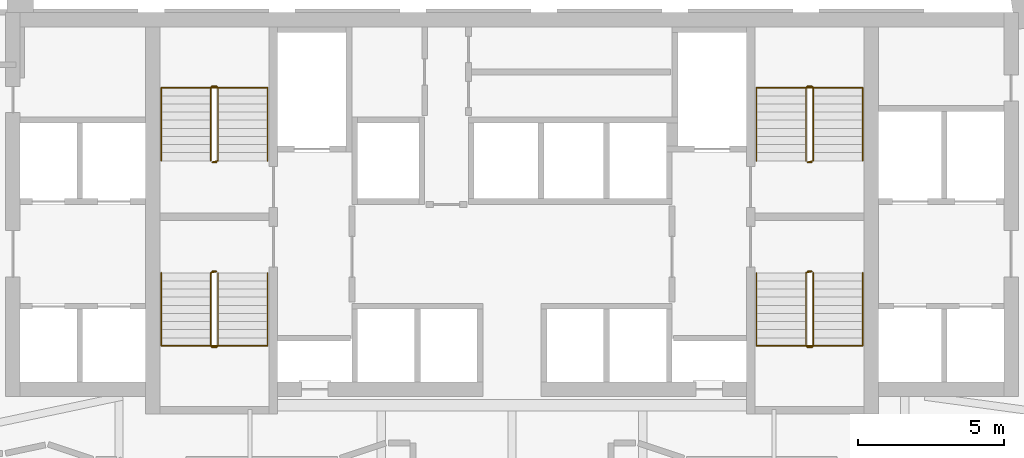
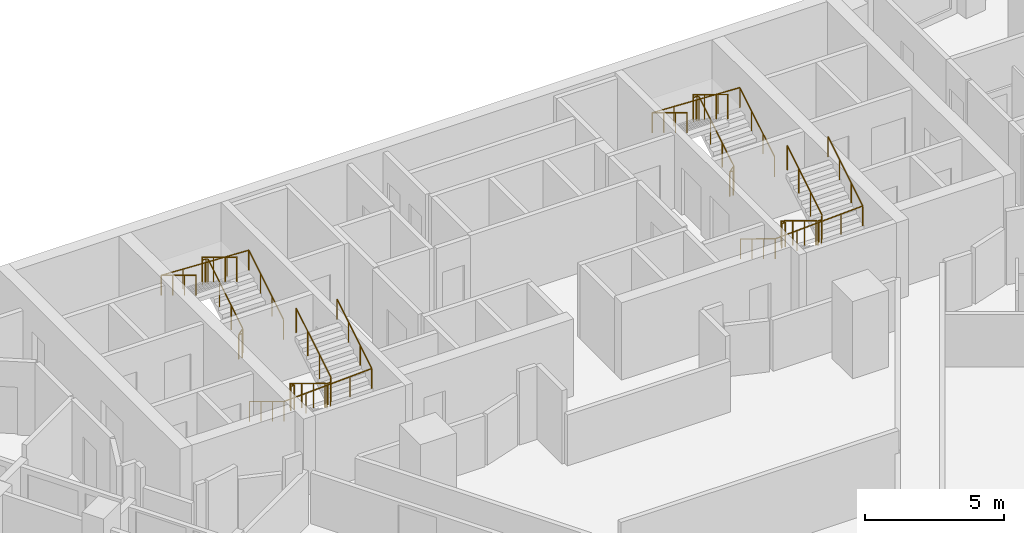
# One storey, part 11 of 11: 8 railings.
"""IFC4 building model written with IfcOpenShell, lengths in metres."""

from ifc_helpers import new_model, si_unit, direction, frame, origin, origin_2d, place, context, subcontext, project, spatial, circle, extrude, material, type_object, element, save


model = new_model("IFC4")

# Units and contexts
model_context = context("Model", 3, precision=1e-05, world=origin(), true_north=direction((0.0, 1.0)))
body_context = subcontext(model_context, "Body", "Model", "MODEL_VIEW")
ifc_project = project(units=[si_unit("LENGTHUNIT", "METRE"), si_unit("AREAUNIT", "SQUARE_METRE"), si_unit("VOLUMEUNIT", "CUBIC_METRE"), si_unit("PLANEANGLEUNIT", "RADIAN"), si_unit("MASSUNIT", "GRAM", prefix="KILO")], contexts=[model_context])

# Site, building, storey
site_placement = place(None, origin())
site = spatial("IfcSite", under=ifc_project, at=site_placement, CompositionType="ELEMENT")
building_placement = place(site_placement, origin())
building = spatial("IfcBuilding", under=site, at=building_placement, Name="Calabash Gate Tower", CompositionType="ELEMENT")
storey_placement = place(building_placement, frame((0.0, 0.0, 129.199951171875)))
storey = spatial("IfcBuildingStorey", under=building, at=storey_placement, Name="L30", CompositionType="ELEMENT", Elevation=129.199951171875)

# Railings
ifc_material_1 = material(Name="Black powder-coated steel balusters", Category="steel")
railing_type_1 = type_object("IfcRailingType", Name="Stair guard RL1100", PredefinedType="GUARDRAIL", material=ifc_material_1)
railing_1_placement = place(storey_placement, frame((-10.14990234375, 13.902587890625, 0.0)))
element("IfcRailing", 1, at=railing_1_placement, inside=storey, type_object=railing_type_1, Name="L30 ST1 stair guard 1", PredefinedType="GUARDRAIL", context=body_context, shape_type="SweptSolid", body=[
    extrude(circle(Radius=0.02392578125, at=origin_2d()), frame((0.0, 0.0, 1.076171875), z_axis=(-1.0, 0.0, 0.0), x_axis=(0.0, -1.0, 0.0)), (0.0, 0.0, 1.0), 0.150146484375),
    extrude(circle(Radius=0.02392578125, at=origin_2d()), frame((-0.150146484375, 0.0, 1.076171875), z_axis=(0.748079357382, 0.187248190798, 0.636643848712), x_axis=(-0.242814311512, 0.970072785993, 0.0)), (0.0, 0.0, 1.0), 0.267333984375),
    extrude(circle(Radius=0.02392578125, at=origin_2d()), frame((0.0498046875, 0.050048828125, 1.24609375), z_axis=(0.0, 0.853993254676, 0.52028407718), x_axis=(-1.0, 0.0, 0.0)), (0.0, 0.0, 1.0), 2.940185546875),
    extrude(circle(Radius=0.02392578125, at=origin_2d()), frame((0.0498046875, 2.56103515625, 2.77587890625), z_axis=(-0.705375805398, 0.708833529934, 0.0), x_axis=(-0.708833529934, -0.705375805398, 0.0)), (0.0, 0.0, 1.0), 0.070556640625),
    extrude(circle(Radius=0.02392578125, at=origin_2d()), frame((0.0, 2.611083984375, 2.77587890625), z_axis=(-1.0, 0.0, 0.0), x_axis=(0.0, -1.0, 0.0)), (0.0, 0.0, 1.0), 0.150146484375),
    extrude(circle(Radius=0.02392578125, at=origin_2d()), frame((-0.150146484375, 2.611083984375, 2.77587890625), z_axis=(-0.271562723297, -0.271562723297, 0.923313259209), x_axis=(0.707106781187, -0.707106781187, 0.0)), (0.0, 0.0, 1.0), 0.184326171875),
    extrude(circle(Radius=0.02392578125, at=origin_2d()), frame((-0.2001953125, 2.56103515625, 2.9462890625), z_axis=(0.0, -0.853956361026, 0.520344629514), x_axis=(1.0, 0.0, 0.0)), (0.0, 0.0, 1.0), 2.9404296875),
    extrude(circle(Radius=0.02099609375, at=origin_2d()), origin(), (0.0, 0.0, 1.0), 1.052001953125),
    extrude(circle(Radius=0.02099609375, at=origin_2d()), frame((-0.150146484375, 0.0, 0.0)), (0.0, 0.0, 1.0), 1.052001953125),
    extrude(circle(Radius=0.02099609375, at=origin_2d()), frame((0.0498046875, 0.050048828125, 0.170166015625)), (0.0, 0.0, 1.0), 1.052001953125),
    extrude(circle(Radius=0.02099609375, at=origin_2d()), frame((0.0498046875, 0.886962890625, 0.68017578125)), (0.0, 0.0, 1.0), 1.052001953125),
    extrude(circle(Radius=0.02099609375, at=origin_2d()), frame((0.0498046875, 1.72412109375, 1.18994140625)), (0.0, 0.0, 1.0), 1.052001953125),
    extrude(circle(Radius=0.02099609375, at=origin_2d()), frame((0.0498046875, 2.56103515625, 1.699951171875)), (0.0, 0.0, 1.0), 1.052001953125),
    extrude(circle(Radius=0.02099609375, at=origin_2d()), frame((0.0, 2.611083984375, 1.699951171875)), (0.0, 0.0, 1.0), 1.052001953125),
    extrude(circle(Radius=0.02099609375, at=origin_2d()), frame((-0.150146484375, 2.611083984375, 1.699951171875)), (0.0, 0.0, 1.0), 1.052001953125),
    extrude(circle(Radius=0.02099609375, at=origin_2d()), frame((-0.2001953125, 2.56103515625, 1.8701171875)), (0.0, 0.0, 1.0), 1.052001953125),
    extrude(circle(Radius=0.02099609375, at=origin_2d()), frame((-0.2001953125, 1.72412109375, 2.380126953125)), (0.0, 0.0, 1.0), 1.052001953125),
    extrude(circle(Radius=0.02099609375, at=origin_2d()), frame((-0.2001953125, 0.886962890625, 2.89013671875)), (0.0, 0.0, 1.0), 1.052001953125),
    extrude(circle(Radius=0.02099609375, at=origin_2d()), frame((-0.2001953125, 0.050048828125, 3.400146484375)), (0.0, 0.0, 1.0), 1.052001953125),
])
railing_2_placement = place(storey_placement, frame((-10.300048828125, 10.152587890625, 0.0)))
element("IfcRailing", 2, at=railing_2_placement, inside=storey, type_object=railing_type_1, Name="L30 ST2 stair guard 1", PredefinedType="GUARDRAIL", context=body_context, shape_type="SweptSolid", body=[
    extrude(circle(Radius=0.02392578125, at=origin_2d()), frame((0.0, 0.0, 1.076171875), z_axis=(1.0, 0.0, 0.0), x_axis=(0.0, 1.0, 0.0)), (0.0, 0.0, 1.0), 0.150146484375),
    extrude(circle(Radius=0.02392578125, at=origin_2d()), frame((0.150146484375, 0.0, 1.076171875), z_axis=(-0.748481188565, -0.187120297141, 0.63620901028), x_axis=(0.242535625036, -0.970142500145, 0.0)), (0.0, 0.0, 1.0), 0.267578125),
    extrude(circle(Radius=0.02392578125, at=origin_2d()), frame((-0.050048828125, -0.050048828125, 1.24609375), z_axis=(0.0, -0.853993254676, 0.52028407718), x_axis=(1.0, 0.0, 0.0)), (0.0, 0.0, 1.0), 2.940185546875),
    extrude(circle(Radius=0.02392578125, at=origin_2d()), frame((-0.050048828125, -2.56103515625, 2.77587890625), z_axis=(0.707106781187, -0.707106781187, 0.0), x_axis=(0.707106781187, 0.707106781187, 0.0)), (0.0, 0.0, 1.0), 0.07080078125),
    extrude(circle(Radius=0.02392578125, at=origin_2d()), frame((0.0, -2.611083984375, 2.77587890625), z_axis=(1.0, 0.0, 0.0), x_axis=(0.0, 1.0, 0.0)), (0.0, 0.0, 1.0), 0.150146484375),
    extrude(circle(Radius=0.02392578125, at=origin_2d()), frame((0.150146484375, -2.611083984375, 2.77587890625), z_axis=(0.270335057127, 0.271660228976, 0.923644778517), x_axis=(-0.708833529934, 0.705375805398, 0.0)), (0.0, 0.0, 1.0), 0.184326171875),
    extrude(circle(Radius=0.02392578125, at=origin_2d()), frame((0.199951171875, -2.56103515625, 2.9462890625), z_axis=(0.0, 0.853956361026, 0.520344629514), x_axis=(-1.0, 0.0, 0.0)), (0.0, 0.0, 1.0), 2.9404296875),
    extrude(circle(Radius=0.02099609375, at=origin_2d()), origin(), (0.0, 0.0, 1.0), 1.052001953125),
    extrude(circle(Radius=0.02099609375, at=origin_2d()), frame((0.150146484375, 0.0, 0.0)), (0.0, 0.0, 1.0), 1.052001953125),
    extrude(circle(Radius=0.02099609375, at=origin_2d()), frame((-0.050048828125, -0.050048828125, 0.170166015625)), (0.0, 0.0, 1.0), 1.052001953125),
    extrude(circle(Radius=0.02099609375, at=origin_2d()), frame((-0.050048828125, -0.886962890625, 0.68017578125)), (0.0, 0.0, 1.0), 1.052001953125),
    extrude(circle(Radius=0.02099609375, at=origin_2d()), frame((-0.050048828125, -1.72412109375, 1.18994140625)), (0.0, 0.0, 1.0), 1.052001953125),
    extrude(circle(Radius=0.02099609375, at=origin_2d()), frame((-0.050048828125, -2.56103515625, 1.699951171875)), (0.0, 0.0, 1.0), 1.052001953125),
    extrude(circle(Radius=0.02099609375, at=origin_2d()), frame((0.0, -2.611083984375, 1.699951171875)), (0.0, 0.0, 1.0), 1.052001953125),
    extrude(circle(Radius=0.02099609375, at=origin_2d()), frame((0.150146484375, -2.611083984375, 1.699951171875)), (0.0, 0.0, 1.0), 1.052001953125),
    extrude(circle(Radius=0.02099609375, at=origin_2d()), frame((0.199951171875, -2.56103515625, 1.8701171875)), (0.0, 0.0, 1.0), 1.052001953125),
    extrude(circle(Radius=0.02099609375, at=origin_2d()), frame((0.199951171875, -1.72412109375, 2.380126953125)), (0.0, 0.0, 1.0), 1.052001953125),
    extrude(circle(Radius=0.02099609375, at=origin_2d()), frame((0.199951171875, -0.886962890625, 2.89013671875)), (0.0, 0.0, 1.0), 1.052001953125),
    extrude(circle(Radius=0.02099609375, at=origin_2d()), frame((0.199951171875, -0.050048828125, 3.400146484375)), (0.0, 0.0, 1.0), 1.052001953125),
])
railing_3_placement = place(storey_placement, frame((10.300048828125, 13.902587890625, 0.0)))
element("IfcRailing", 3, at=railing_3_placement, inside=storey, type_object=railing_type_1, Name="L30 ST3 stair guard 1", PredefinedType="GUARDRAIL", context=body_context, shape_type="SweptSolid", body=[
    extrude(circle(Radius=0.02392578125, at=origin_2d()), frame((0.0, 0.0, 1.076171875), z_axis=(-1.0, 0.0, 0.0), x_axis=(0.0, -1.0, 0.0)), (0.0, 0.0, 1.0), 0.150146484375),
    extrude(circle(Radius=0.02392578125, at=origin_2d()), frame((-0.150146484375, 0.0, 1.076171875), z_axis=(0.748481188565, 0.187120297141, 0.63620901028), x_axis=(-0.242535625036, 0.970142500145, 0.0)), (0.0, 0.0, 1.0), 0.267578125),
    extrude(circle(Radius=0.02392578125, at=origin_2d()), frame((0.050048828125, 0.050048828125, 1.24609375), z_axis=(0.0, 0.853993254676, 0.52028407718), x_axis=(-1.0, 0.0, 0.0)), (0.0, 0.0, 1.0), 2.940185546875),
    extrude(circle(Radius=0.02392578125, at=origin_2d()), frame((0.050048828125, 2.56103515625, 2.77587890625), z_axis=(-0.707106781187, 0.707106781187, 0.0), x_axis=(-0.707106781187, -0.707106781187, 0.0)), (0.0, 0.0, 1.0), 0.07080078125),
    extrude(circle(Radius=0.02392578125, at=origin_2d()), frame((0.0, 2.611083984375, 2.77587890625), z_axis=(-1.0, 0.0, 0.0), x_axis=(0.0, -1.0, 0.0)), (0.0, 0.0, 1.0), 0.150146484375),
    extrude(circle(Radius=0.02392578125, at=origin_2d()), frame((-0.150146484375, 2.611083984375, 2.77587890625), z_axis=(-0.270335057127, -0.271660228976, 0.923644778517), x_axis=(0.708833529934, -0.705375805398, 0.0)), (0.0, 0.0, 1.0), 0.184326171875),
    extrude(circle(Radius=0.02392578125, at=origin_2d()), frame((-0.199951171875, 2.56103515625, 2.9462890625), z_axis=(0.0, -0.853956361026, 0.520344629514), x_axis=(1.0, 0.0, 0.0)), (0.0, 0.0, 1.0), 2.9404296875),
    extrude(circle(Radius=0.02099609375, at=origin_2d()), origin(), (0.0, 0.0, 1.0), 1.052001953125),
    extrude(circle(Radius=0.02099609375, at=origin_2d()), frame((-0.150146484375, 0.0, 0.0)), (0.0, 0.0, 1.0), 1.052001953125),
    extrude(circle(Radius=0.02099609375, at=origin_2d()), frame((0.050048828125, 0.050048828125, 0.170166015625)), (0.0, 0.0, 1.0), 1.052001953125),
    extrude(circle(Radius=0.02099609375, at=origin_2d()), frame((0.050048828125, 0.886962890625, 0.68017578125)), (0.0, 0.0, 1.0), 1.052001953125),
    extrude(circle(Radius=0.02099609375, at=origin_2d()), frame((0.050048828125, 1.72412109375, 1.18994140625)), (0.0, 0.0, 1.0), 1.052001953125),
    extrude(circle(Radius=0.02099609375, at=origin_2d()), frame((0.050048828125, 2.56103515625, 1.699951171875)), (0.0, 0.0, 1.0), 1.052001953125),
    extrude(circle(Radius=0.02099609375, at=origin_2d()), frame((0.0, 2.611083984375, 1.699951171875)), (0.0, 0.0, 1.0), 1.052001953125),
    extrude(circle(Radius=0.02099609375, at=origin_2d()), frame((-0.150146484375, 2.611083984375, 1.699951171875)), (0.0, 0.0, 1.0), 1.052001953125),
    extrude(circle(Radius=0.02099609375, at=origin_2d()), frame((-0.199951171875, 2.56103515625, 1.8701171875)), (0.0, 0.0, 1.0), 1.052001953125),
    extrude(circle(Radius=0.02099609375, at=origin_2d()), frame((-0.199951171875, 1.72412109375, 2.380126953125)), (0.0, 0.0, 1.0), 1.052001953125),
    extrude(circle(Radius=0.02099609375, at=origin_2d()), frame((-0.199951171875, 0.886962890625, 2.89013671875)), (0.0, 0.0, 1.0), 1.052001953125),
    extrude(circle(Radius=0.02099609375, at=origin_2d()), frame((-0.199951171875, 0.050048828125, 3.400146484375)), (0.0, 0.0, 1.0), 1.052001953125),
])
railing_4_placement = place(storey_placement, frame((10.14990234375, 10.152587890625, 0.0)))
element("IfcRailing", 4, at=railing_4_placement, inside=storey, type_object=railing_type_1, Name="L30 ST4 stair guard 1", PredefinedType="GUARDRAIL", context=body_context, shape_type="SweptSolid", body=[
    extrude(circle(Radius=0.02392578125, at=origin_2d()), frame((0.0, 0.0, 1.076171875), z_axis=(1.0, 0.0, 0.0), x_axis=(0.0, 1.0, 0.0)), (0.0, 0.0, 1.0), 0.150146484375),
    extrude(circle(Radius=0.02392578125, at=origin_2d()), frame((0.150146484375, 0.0, 1.076171875), z_axis=(-0.748079357382, -0.187248190798, 0.636643848712), x_axis=(0.242814311512, -0.970072785993, 0.0)), (0.0, 0.0, 1.0), 0.267333984375),
    extrude(circle(Radius=0.02392578125, at=origin_2d()), frame((-0.0498046875, -0.050048828125, 1.24609375), z_axis=(0.0, -0.853993254676, 0.52028407718), x_axis=(1.0, 0.0, 0.0)), (0.0, 0.0, 1.0), 2.940185546875),
    extrude(circle(Radius=0.02392578125, at=origin_2d()), frame((-0.0498046875, -2.56103515625, 2.77587890625), z_axis=(0.705375805398, -0.708833529934, 0.0), x_axis=(0.708833529934, 0.705375805398, 0.0)), (0.0, 0.0, 1.0), 0.070556640625),
    extrude(circle(Radius=0.02392578125, at=origin_2d()), frame((0.0, -2.611083984375, 2.77587890625), z_axis=(1.0, 0.0, 0.0), x_axis=(0.0, 1.0, 0.0)), (0.0, 0.0, 1.0), 0.150146484375),
    extrude(circle(Radius=0.02392578125, at=origin_2d()), frame((0.150146484375, -2.611083984375, 2.77587890625), z_axis=(0.271562723297, 0.271562723297, 0.923313259209), x_axis=(-0.707106781187, 0.707106781187, 0.0)), (0.0, 0.0, 1.0), 0.184326171875),
    extrude(circle(Radius=0.02392578125, at=origin_2d()), frame((0.2001953125, -2.56103515625, 2.9462890625), z_axis=(0.0, 0.853956361026, 0.520344629514), x_axis=(-1.0, 0.0, 0.0)), (0.0, 0.0, 1.0), 2.9404296875),
    extrude(circle(Radius=0.02099609375, at=origin_2d()), origin(), (0.0, 0.0, 1.0), 1.052001953125),
    extrude(circle(Radius=0.02099609375, at=origin_2d()), frame((0.150146484375, 0.0, 0.0)), (0.0, 0.0, 1.0), 1.052001953125),
    extrude(circle(Radius=0.02099609375, at=origin_2d()), frame((-0.0498046875, -0.050048828125, 0.170166015625)), (0.0, 0.0, 1.0), 1.052001953125),
    extrude(circle(Radius=0.02099609375, at=origin_2d()), frame((-0.0498046875, -0.886962890625, 0.68017578125)), (0.0, 0.0, 1.0), 1.052001953125),
    extrude(circle(Radius=0.02099609375, at=origin_2d()), frame((-0.0498046875, -1.72412109375, 1.18994140625)), (0.0, 0.0, 1.0), 1.052001953125),
    extrude(circle(Radius=0.02099609375, at=origin_2d()), frame((-0.0498046875, -2.56103515625, 1.699951171875)), (0.0, 0.0, 1.0), 1.052001953125),
    extrude(circle(Radius=0.02099609375, at=origin_2d()), frame((0.0, -2.611083984375, 1.699951171875)), (0.0, 0.0, 1.0), 1.052001953125),
    extrude(circle(Radius=0.02099609375, at=origin_2d()), frame((0.150146484375, -2.611083984375, 1.699951171875)), (0.0, 0.0, 1.0), 1.052001953125),
    extrude(circle(Radius=0.02099609375, at=origin_2d()), frame((0.2001953125, -2.56103515625, 1.8701171875)), (0.0, 0.0, 1.0), 1.052001953125),
    extrude(circle(Radius=0.02099609375, at=origin_2d()), frame((0.2001953125, -1.72412109375, 2.380126953125)), (0.0, 0.0, 1.0), 1.052001953125),
    extrude(circle(Radius=0.02099609375, at=origin_2d()), frame((0.2001953125, -0.886962890625, 2.89013671875)), (0.0, 0.0, 1.0), 1.052001953125),
    extrude(circle(Radius=0.02099609375, at=origin_2d()), frame((0.2001953125, -0.050048828125, 3.400146484375)), (0.0, 0.0, 1.0), 1.052001953125),
])
ifc_material_2 = material(Name="Black powder-coated steel tube 48 mm", Category="steel")
railing_type_2 = type_object("IfcRailingType", Name="Stair handrail RL900", PredefinedType="HANDRAIL", material=ifc_material_2)
railing_5_placement = place(storey_placement, frame((-8.39990234375, 13.95263671875, 0.170166015625)))
element("IfcRailing", 5, at=railing_5_placement, inside=storey, type_object=railing_type_2, Name="L30 ST1 stair handrail 1", PredefinedType="HANDRAIL", context=body_context, shape_type="SweptSolid", body=[
    extrude(circle(Radius=0.02392578125, at=origin_2d()), frame((0.0, 0.0, 0.8759765625), z_axis=(0.0, 0.853993254676, 0.52028407718), x_axis=(-1.0, 0.0, 0.0)), (0.0, 0.0, 1.0), 2.940185546875),
    extrude(circle(Radius=0.02392578125, at=origin_2d()), frame((0.0, 2.510986328125, 2.40576171875), z_axis=(-0.99891510456, 0.0, 0.046568378562), x_axis=(0.0, -1.0, 0.0)), (0.0, 0.0, 1.0), 3.654052734375),
    extrude(circle(Radius=0.02392578125, at=origin_2d()), frame((-3.650146484375, 2.510986328125, 2.57568359375), z_axis=(0.0, -0.853956361026, 0.520344629514), x_axis=(1.0, 0.0, 0.0)), (0.0, 0.0, 1.0), 2.9404296875),
    extrude(circle(Radius=0.02099609375, at=origin_2d()), origin(), (0.0, 0.0, 1.0), 0.851806640625),
    extrude(circle(Radius=0.02099609375, at=origin_2d()), frame((0.0, 0.8369140625, 0.510009765625)), (0.0, 0.0, 1.0), 0.851806640625),
    extrude(circle(Radius=0.02099609375, at=origin_2d()), frame((0.0, 1.674072265625, 1.019775390625)), (0.0, 0.0, 1.0), 0.851806640625),
    extrude(circle(Radius=0.02099609375, at=origin_2d()), frame((0.0, 2.510986328125, 1.52978515625)), (0.0, 0.0, 1.0), 0.851806640625),
    extrude(circle(Radius=0.02099609375, at=origin_2d()), frame((-0.91259765625, 2.510986328125, 1.572265625)), (0.0, 0.0, 1.0), 0.851806640625),
    extrude(circle(Radius=0.02099609375, at=origin_2d()), frame((-1.8251953125, 2.510986328125, 1.61474609375)), (0.0, 0.0, 1.0), 0.851806640625),
    extrude(circle(Radius=0.02099609375, at=origin_2d()), frame((-2.737548828125, 2.510986328125, 1.657470703125)), (0.0, 0.0, 1.0), 0.851806640625),
    extrude(circle(Radius=0.02099609375, at=origin_2d()), frame((-3.650146484375, 2.510986328125, 1.699951171875)), (0.0, 0.0, 1.0), 0.851806640625),
    extrude(circle(Radius=0.02099609375, at=origin_2d()), frame((-3.650146484375, 1.674072265625, 2.2099609375)), (0.0, 0.0, 1.0), 0.851806640625),
    extrude(circle(Radius=0.02099609375, at=origin_2d()), frame((-3.650146484375, 0.8369140625, 2.719970703125)), (0.0, 0.0, 1.0), 0.851806640625),
    extrude(circle(Radius=0.02099609375, at=origin_2d()), frame((-3.650146484375, 0.0, 3.22998046875)), (0.0, 0.0, 1.0), 0.851806640625),
])
railing_6_placement = place(storey_placement, frame((-12.050048828125, 10.1025390625, 0.170166015625)))
element("IfcRailing", 6, at=railing_6_placement, inside=storey, type_object=railing_type_2, Name="L30 ST2 stair handrail 1", PredefinedType="HANDRAIL", context=body_context, shape_type="SweptSolid", body=[
    extrude(circle(Radius=0.02392578125, at=origin_2d()), frame((0.0, 0.0, 0.8759765625), z_axis=(0.0, -0.853993254676, 0.52028407718), x_axis=(1.0, 0.0, 0.0)), (0.0, 0.0, 1.0), 2.940185546875),
    extrude(circle(Radius=0.02392578125, at=origin_2d()), frame((0.0, -2.510986328125, 2.40576171875), z_axis=(0.99891510456, 0.0, 0.046568378562), x_axis=(0.0, 1.0, 0.0)), (0.0, 0.0, 1.0), 3.654052734375),
    extrude(circle(Radius=0.02392578125, at=origin_2d()), frame((3.650146484375, -2.510986328125, 2.57568359375), z_axis=(0.0, 0.853956361026, 0.520344629514), x_axis=(-1.0, 0.0, 0.0)), (0.0, 0.0, 1.0), 2.9404296875),
    extrude(circle(Radius=0.02099609375, at=origin_2d()), origin(), (0.0, 0.0, 1.0), 0.851806640625),
    extrude(circle(Radius=0.02099609375, at=origin_2d()), frame((0.0, -0.8369140625, 0.510009765625)), (0.0, 0.0, 1.0), 0.851806640625),
    extrude(circle(Radius=0.02099609375, at=origin_2d()), frame((0.0, -1.674072265625, 1.019775390625)), (0.0, 0.0, 1.0), 0.851806640625),
    extrude(circle(Radius=0.02099609375, at=origin_2d()), frame((0.0, -2.510986328125, 1.52978515625)), (0.0, 0.0, 1.0), 0.851806640625),
    extrude(circle(Radius=0.02099609375, at=origin_2d()), frame((0.91259765625, -2.510986328125, 1.572265625)), (0.0, 0.0, 1.0), 0.851806640625),
    extrude(circle(Radius=0.02099609375, at=origin_2d()), frame((1.8251953125, -2.510986328125, 1.61474609375)), (0.0, 0.0, 1.0), 0.851806640625),
    extrude(circle(Radius=0.02099609375, at=origin_2d()), frame((2.737548828125, -2.510986328125, 1.657470703125)), (0.0, 0.0, 1.0), 0.851806640625),
    extrude(circle(Radius=0.02099609375, at=origin_2d()), frame((3.650146484375, -2.510986328125, 1.699951171875)), (0.0, 0.0, 1.0), 0.851806640625),
    extrude(circle(Radius=0.02099609375, at=origin_2d()), frame((3.650146484375, -1.674072265625, 2.2099609375)), (0.0, 0.0, 1.0), 0.851806640625),
    extrude(circle(Radius=0.02099609375, at=origin_2d()), frame((3.650146484375, -0.8369140625, 2.719970703125)), (0.0, 0.0, 1.0), 0.851806640625),
    extrude(circle(Radius=0.02099609375, at=origin_2d()), frame((3.650146484375, 0.0, 3.22998046875)), (0.0, 0.0, 1.0), 0.851806640625),
])
railing_7_placement = place(storey_placement, frame((12.050048828125, 13.95263671875, 0.170166015625)))
element("IfcRailing", 7, at=railing_7_placement, inside=storey, type_object=railing_type_2, Name="L30 ST3 stair handrail 1", PredefinedType="HANDRAIL", context=body_context, shape_type="SweptSolid", body=[
    extrude(circle(Radius=0.02392578125, at=origin_2d()), frame((0.0, 0.0, 0.8759765625), z_axis=(0.0, 0.853993254676, 0.52028407718), x_axis=(-1.0, 0.0, 0.0)), (0.0, 0.0, 1.0), 2.940185546875),
    extrude(circle(Radius=0.02392578125, at=origin_2d()), frame((0.0, 2.510986328125, 2.40576171875), z_axis=(-0.99891510456, 0.0, 0.046568378562), x_axis=(0.0, -1.0, 0.0)), (0.0, 0.0, 1.0), 3.654052734375),
    extrude(circle(Radius=0.02392578125, at=origin_2d()), frame((-3.650146484375, 2.510986328125, 2.57568359375), z_axis=(0.0, -0.853956361026, 0.520344629514), x_axis=(1.0, 0.0, 0.0)), (0.0, 0.0, 1.0), 2.9404296875),
    extrude(circle(Radius=0.02099609375, at=origin_2d()), origin(), (0.0, 0.0, 1.0), 0.851806640625),
    extrude(circle(Radius=0.02099609375, at=origin_2d()), frame((0.0, 0.8369140625, 0.510009765625)), (0.0, 0.0, 1.0), 0.851806640625),
    extrude(circle(Radius=0.02099609375, at=origin_2d()), frame((0.0, 1.674072265625, 1.019775390625)), (0.0, 0.0, 1.0), 0.851806640625),
    extrude(circle(Radius=0.02099609375, at=origin_2d()), frame((0.0, 2.510986328125, 1.52978515625)), (0.0, 0.0, 1.0), 0.851806640625),
    extrude(circle(Radius=0.02099609375, at=origin_2d()), frame((-0.91259765625, 2.510986328125, 1.572265625)), (0.0, 0.0, 1.0), 0.851806640625),
    extrude(circle(Radius=0.02099609375, at=origin_2d()), frame((-1.8251953125, 2.510986328125, 1.61474609375)), (0.0, 0.0, 1.0), 0.851806640625),
    extrude(circle(Radius=0.02099609375, at=origin_2d()), frame((-2.737548828125, 2.510986328125, 1.657470703125)), (0.0, 0.0, 1.0), 0.851806640625),
    extrude(circle(Radius=0.02099609375, at=origin_2d()), frame((-3.650146484375, 2.510986328125, 1.699951171875)), (0.0, 0.0, 1.0), 0.851806640625),
    extrude(circle(Radius=0.02099609375, at=origin_2d()), frame((-3.650146484375, 1.674072265625, 2.2099609375)), (0.0, 0.0, 1.0), 0.851806640625),
    extrude(circle(Radius=0.02099609375, at=origin_2d()), frame((-3.650146484375, 0.8369140625, 2.719970703125)), (0.0, 0.0, 1.0), 0.851806640625),
    extrude(circle(Radius=0.02099609375, at=origin_2d()), frame((-3.650146484375, 0.0, 3.22998046875)), (0.0, 0.0, 1.0), 0.851806640625),
])
railing_8_placement = place(storey_placement, frame((8.39990234375, 10.1025390625, 0.170166015625)))
element("IfcRailing", 8, at=railing_8_placement, inside=storey, type_object=railing_type_2, Name="L30 ST4 stair handrail 1", PredefinedType="HANDRAIL", context=body_context, shape_type="SweptSolid", body=[
    extrude(circle(Radius=0.02392578125, at=origin_2d()), frame((0.0, 0.0, 0.8759765625), z_axis=(0.0, -0.853993254676, 0.52028407718), x_axis=(1.0, 0.0, 0.0)), (0.0, 0.0, 1.0), 2.940185546875),
    extrude(circle(Radius=0.02392578125, at=origin_2d()), frame((0.0, -2.510986328125, 2.40576171875), z_axis=(0.99891510456, 0.0, 0.046568378562), x_axis=(0.0, 1.0, 0.0)), (0.0, 0.0, 1.0), 3.654052734375),
    extrude(circle(Radius=0.02392578125, at=origin_2d()), frame((3.650146484375, -2.510986328125, 2.57568359375), z_axis=(0.0, 0.853956361026, 0.520344629514), x_axis=(-1.0, 0.0, 0.0)), (0.0, 0.0, 1.0), 2.9404296875),
    extrude(circle(Radius=0.02099609375, at=origin_2d()), origin(), (0.0, 0.0, 1.0), 0.851806640625),
    extrude(circle(Radius=0.02099609375, at=origin_2d()), frame((0.0, -0.8369140625, 0.510009765625)), (0.0, 0.0, 1.0), 0.851806640625),
    extrude(circle(Radius=0.02099609375, at=origin_2d()), frame((0.0, -1.674072265625, 1.019775390625)), (0.0, 0.0, 1.0), 0.851806640625),
    extrude(circle(Radius=0.02099609375, at=origin_2d()), frame((0.0, -2.510986328125, 1.52978515625)), (0.0, 0.0, 1.0), 0.851806640625),
    extrude(circle(Radius=0.02099609375, at=origin_2d()), frame((0.91259765625, -2.510986328125, 1.572265625)), (0.0, 0.0, 1.0), 0.851806640625),
    extrude(circle(Radius=0.02099609375, at=origin_2d()), frame((1.8251953125, -2.510986328125, 1.61474609375)), (0.0, 0.0, 1.0), 0.851806640625),
    extrude(circle(Radius=0.02099609375, at=origin_2d()), frame((2.737548828125, -2.510986328125, 1.657470703125)), (0.0, 0.0, 1.0), 0.851806640625),
    extrude(circle(Radius=0.02099609375, at=origin_2d()), frame((3.650146484375, -2.510986328125, 1.699951171875)), (0.0, 0.0, 1.0), 0.851806640625),
    extrude(circle(Radius=0.02099609375, at=origin_2d()), frame((3.650146484375, -1.674072265625, 2.2099609375)), (0.0, 0.0, 1.0), 0.851806640625),
    extrude(circle(Radius=0.02099609375, at=origin_2d()), frame((3.650146484375, -0.8369140625, 2.719970703125)), (0.0, 0.0, 1.0), 0.851806640625),
    extrude(circle(Radius=0.02099609375, at=origin_2d()), frame((3.650146484375, 0.0, 3.22998046875)), (0.0, 0.0, 1.0), 0.851806640625),
])

save(model, "model.ifc")
